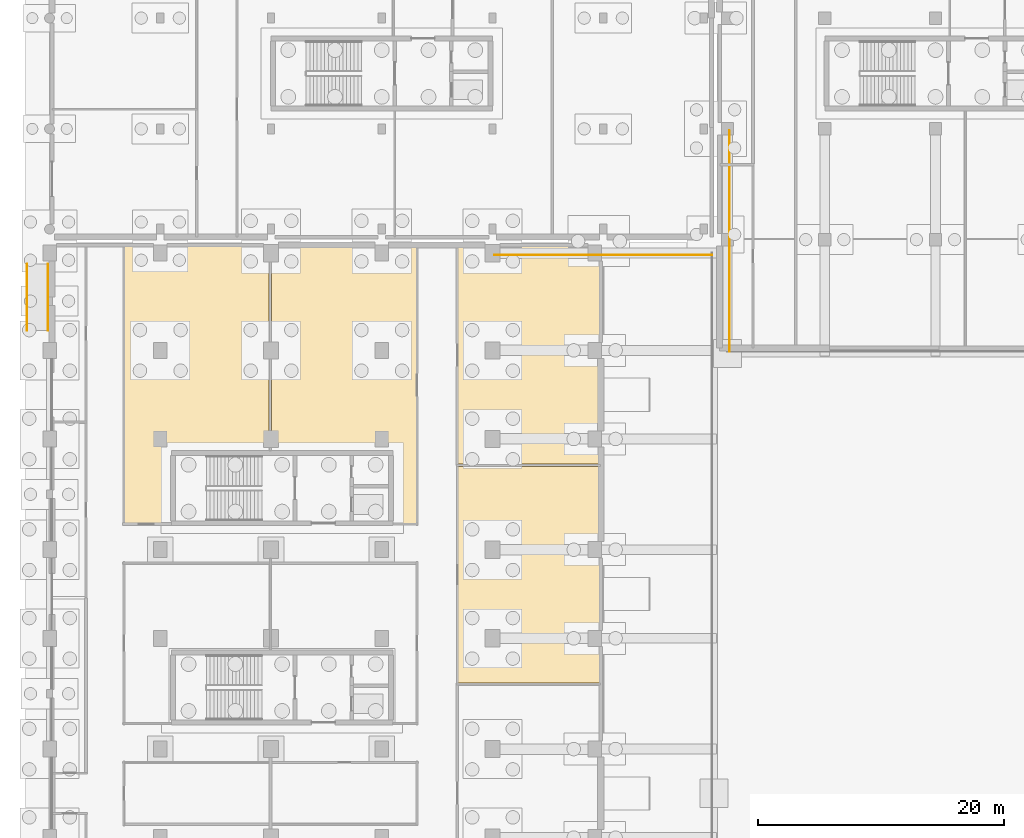
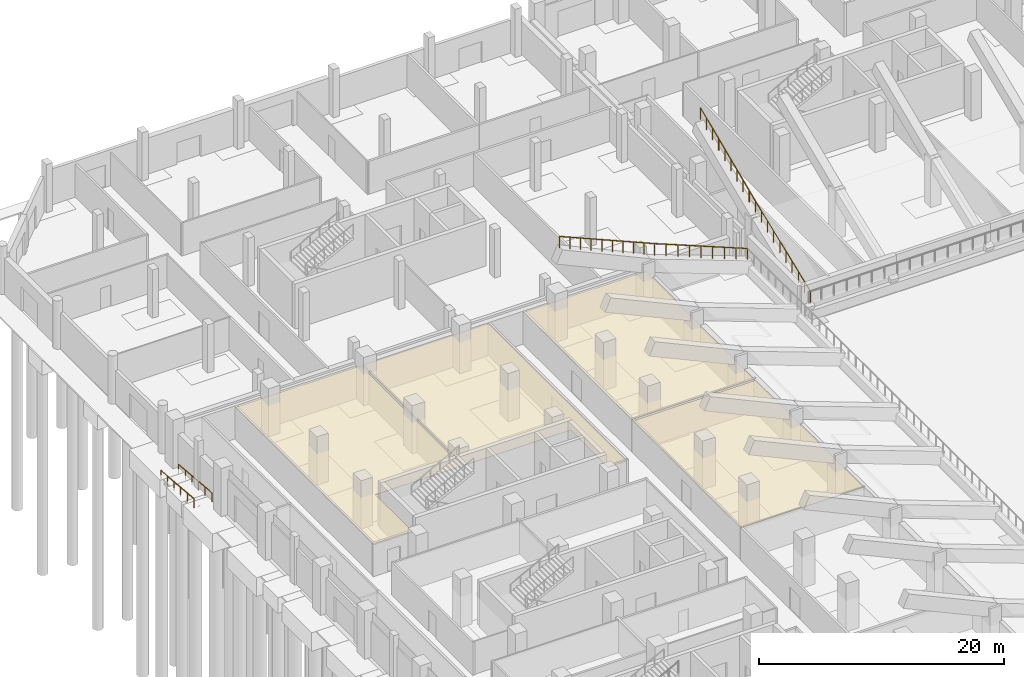
# One storey, part 46 of 53: 4 coverings, 4 railings.
"""IFC4 building model written with IfcOpenShell, lengths in metres."""

from ifc_helpers import new_model, si_unit, direction, frame, origin, origin_2d, place, context, subcontext, project, spatial, polyline, circle, outline, extrude, material, layer, layer_set, type_object, element, save


model = new_model("IFC4")

# Units and contexts
model_context = context("Model", 3, precision=1e-05, world=origin(), true_north=direction((0.0, 1.0)))
body_context = subcontext(model_context, "Body", "Model", "MODEL_VIEW")
ifc_project = project(units=[si_unit("LENGTHUNIT", "METRE"), si_unit("AREAUNIT", "SQUARE_METRE"), si_unit("VOLUMEUNIT", "CUBIC_METRE"), si_unit("PLANEANGLEUNIT", "RADIAN"), si_unit("MASSUNIT", "GRAM", prefix="KILO"), si_unit("THERMODYNAMICTEMPERATUREUNIT", "KELVIN"), si_unit("POWERUNIT", "WATT")], contexts=[model_context])

# Site, building, storey
site_placement = place(None, origin())
site = spatial("IfcSite", under=ifc_project, at=site_placement, CompositionType="ELEMENT")
building_placement = place(site_placement, origin())
building = spatial("IfcBuilding", under=site, at=building_placement, Name="Sindhuravela Promenade Stadium", CompositionType="ELEMENT")
storey_placement = place(building_placement, origin())
storey = spatial("IfcBuildingStorey", under=building, at=storey_placement, Name="L00", CompositionType="ELEMENT", Elevation=0.0)

# Coverings
ifc_material_1 = material(Name="Acoustic mineral-fibre ceiling tile", Category="gypsum")
ifc_layer_1 = layer(ifc_material_1, 0.02490234375)
ifc_layer_set_1 = layer_set([ifc_layer_1], Name="Acoustic mineral-fibre ceiling tile")
covering_type_1 = type_object("IfcCoveringType", Name="CV-CEIL-1", PredefinedType="CEILING", material=ifc_layer_set_1)
covering_1_placement = place(storey_placement, frame((0.0, 0.0, 3.050048828125)))
element("IfcCovering", 1, at=covering_1_placement, inside=storey, type_object=covering_type_1, Name="Acoustic ceiling Medical and First Aid Clinic", PredefinedType="CEILING", context=body_context, shape_type="SweptSolid", body=[
    extrude(outline(polyline([(44.699951171875, 107.778076171875), (44.699951171875, 107.77587890625), (44.69970703125, 107.774169921875), (44.69921875, 107.772216796875), (44.698486328125, 107.770263671875), (44.697509765625, 107.7685546875), (44.696533203125, 107.766845703125), (44.695556640625, 107.765380859375), (44.694091796875, 107.763916015625), (44.692626953125, 107.762451171875), (44.691162109375, 107.761474609375), (44.689453125, 107.760498046875), (44.687744140625, 107.759521484375), (44.685791015625, 107.7587890625), (44.683837890625, 107.75830078125), (44.681884765625, 107.758056640625), (44.679931640625, 107.758056640625), (33.139892578125, 107.758056640625), (33.137939453125, 107.758056640625), (33.135986328125, 107.75830078125), (33.13427734375, 107.7587890625), (33.13232421875, 107.759521484375), (33.130615234375, 107.760498046875), (33.12890625, 107.761474609375), (33.127197265625, 107.762451171875), (33.1259765625, 107.763916015625), (33.12451171875, 107.765380859375), (33.123291015625, 107.766845703125), (33.122314453125, 107.7685546875), (33.12158203125, 107.770263671875), (33.120849609375, 107.772216796875), (33.120361328125, 107.774169921875), (33.1201171875, 107.77587890625), (33.1201171875, 107.778076171875), (33.1201171875, 125.429931640625), (33.1201171875, 125.431884765625), (33.120361328125, 125.433837890625), (33.120849609375, 125.435791015625), (33.12158203125, 125.437744140625), (33.122314453125, 125.439453125), (33.123291015625, 125.441162109375), (33.12451171875, 125.442626953125), (33.1259765625, 125.444091796875), (33.127197265625, 125.445556640625), (33.12890625, 125.446533203125), (33.130615234375, 125.447509765625), (33.13232421875, 125.448486328125), (33.13427734375, 125.44921875), (33.135986328125, 125.44970703125), (33.137939453125, 125.449951171875), (33.139892578125, 125.449951171875), (44.679931640625, 125.449951171875), (44.681884765625, 125.449951171875), (44.683837890625, 125.44970703125), (44.685791015625, 125.44921875), (44.687744140625, 125.448486328125), (44.689453125, 125.447509765625), (44.691162109375, 125.446533203125), (44.692626953125, 125.445556640625), (44.694091796875, 125.444091796875), (44.695556640625, 125.442626953125), (44.696533203125, 125.441162109375), (44.697509765625, 125.439453125), (44.698486328125, 125.437744140625), (44.69921875, 125.435791015625), (44.69970703125, 125.433837890625), (44.699951171875, 125.431884765625), (44.699951171875, 125.429931640625), (44.699951171875, 107.778076171875)])), origin(), (0.0, 0.0, 1.0), 0.02490234375),
])
ifc_layer_2 = layer(ifc_material_1, 0.044921875)
ifc_layer_set_2 = layer_set([ifc_layer_2], Name="Acoustic mineral-fibre ceiling tile")
covering_type_2 = type_object("IfcCoveringType", Name="CV-CEIL-2", PredefinedType="CEILING", material=ifc_layer_set_2)
covering_2_placement = place(storey_placement, frame((0.0, 0.0, 3.050048828125)))
element("IfcCovering", 2, at=covering_2_placement, inside=storey, type_object=covering_type_2, Name="Acoustic ceiling Fire Command Centre", PredefinedType="CEILING", context=body_context, shape_type="SweptSolid", body=[
    extrude(outline(polyline([(9.719970703125, 108.97998046875), (9.719970703125, 102.889892578125), (9.719970703125, 102.887939453125), (9.719482421875, 102.885986328125), (9.718994140625, 102.88427734375), (9.718505859375, 102.88232421875), (9.717529296875, 102.880615234375), (9.716552734375, 102.87890625), (9.715576171875, 102.877197265625), (9.714111328125, 102.8759765625), (9.712646484375, 102.87451171875), (9.711181640625, 102.873291015625), (9.70947265625, 102.872314453125), (9.707763671875, 102.87158203125), (9.705810546875, 102.870849609375), (9.703857421875, 102.870361328125), (9.701904296875, 102.8701171875), (9.699951171875, 102.8701171875), (6.0400390625, 102.8701171875), (6.0380859375, 102.8701171875), (6.0361328125, 102.870361328125), (6.0341796875, 102.870849609375), (6.0322265625, 102.87158203125), (6.030517578125, 102.872314453125), (6.02880859375, 102.873291015625), (6.02734375, 102.87451171875), (6.02587890625, 102.8759765625), (6.0244140625, 102.877197265625), (6.0234375, 102.87890625), (6.0224609375, 102.880615234375), (6.021484375, 102.88232421875), (6.02099609375, 102.88427734375), (6.0205078125, 102.885986328125), (6.02001953125, 102.887939453125), (6.02001953125, 102.889892578125), (6.02001953125, 125.429931640625), (6.02001953125, 125.431884765625), (6.0205078125, 125.433837890625), (6.02099609375, 125.435791015625), (6.021484375, 125.437744140625), (6.0224609375, 125.439453125), (6.0234375, 125.441162109375), (6.0244140625, 125.442626953125), (6.02587890625, 125.444091796875), (6.02734375, 125.445556640625), (6.02880859375, 125.446533203125), (6.030517578125, 125.447509765625), (6.0322265625, 125.448486328125), (6.0341796875, 125.44921875), (6.0361328125, 125.44970703125), (6.0380859375, 125.449951171875), (6.0400390625, 125.449951171875), (17.830078125, 125.449951171875), (17.83203125, 125.449951171875), (17.833984375, 125.44970703125), (17.835693359375, 125.44921875), (17.837646484375, 125.448486328125), (17.83935546875, 125.447509765625), (17.841064453125, 125.446533203125), (17.8427734375, 125.445556640625), (17.843994140625, 125.444091796875), (17.845458984375, 125.442626953125), (17.8466796875, 125.441162109375), (17.84765625, 125.439453125), (17.848388671875, 125.437744140625), (17.84912109375, 125.435791015625), (17.849609375, 125.433837890625), (17.849853515625, 125.431884765625), (17.85009765625, 125.429931640625), (17.85009765625, 109.0), (17.849853515625, 108.998046875), (17.849609375, 108.99609375), (17.84912109375, 108.994140625), (17.848388671875, 108.9921875), (17.84765625, 108.990478515625), (17.8466796875, 108.989013671875), (17.845458984375, 108.9873046875), (17.843994140625, 108.98583984375), (17.8427734375, 108.984619140625), (17.841064453125, 108.9833984375), (17.83935546875, 108.982421875), (17.837646484375, 108.9814453125), (17.835693359375, 108.98095703125), (17.833984375, 108.98046875), (17.83203125, 108.97998046875), (17.830078125, 108.97998046875), (9.719970703125, 108.97998046875)])), origin(), (0.0, 0.0, 1.0), 0.044921875),
])
covering_3_placement = place(storey_placement, frame((0.0, 0.0, 3.050048828125)))
element("IfcCovering", 3, at=covering_3_placement, inside=storey, type_object=covering_type_2, Name="Acoustic ceiling Home Team Changing Suite", PredefinedType="CEILING", context=body_context, shape_type="SweptSolid", body=[
    extrude(outline(polyline([(29.8798828125, 102.889892578125), (29.8798828125, 102.887939453125), (29.879638671875, 102.885986328125), (29.879150390625, 102.88427734375), (29.87841796875, 102.88232421875), (29.877685546875, 102.880615234375), (29.876708984375, 102.87890625), (29.87548828125, 102.877197265625), (29.8740234375, 102.8759765625), (29.872802734375, 102.87451171875), (29.87109375, 102.873291015625), (29.869384765625, 102.872314453125), (29.86767578125, 102.87158203125), (29.86572265625, 102.870849609375), (29.864013671875, 102.870361328125), (29.862060546875, 102.8701171875), (29.860107421875, 102.8701171875), (28.10009765625, 102.8701171875), (28.097900390625, 102.8701171875), (28.09619140625, 102.870361328125), (28.09423828125, 102.870849609375), (28.09228515625, 102.87158203125), (28.090576171875, 102.872314453125), (28.0888671875, 102.873291015625), (28.08740234375, 102.87451171875), (28.0859375, 102.8759765625), (28.08447265625, 102.877197265625), (28.08349609375, 102.87890625), (28.08251953125, 102.880615234375), (28.08154296875, 102.88232421875), (28.080810546875, 102.88427734375), (28.080322265625, 102.885986328125), (28.080078125, 102.887939453125), (28.080078125, 102.889892578125), (28.080078125, 108.97998046875), (18.070068359375, 108.97998046875), (18.068115234375, 108.97998046875), (18.066162109375, 108.98046875), (18.064208984375, 108.98095703125), (18.062255859375, 108.9814453125), (18.060546875, 108.982421875), (18.058837890625, 108.9833984375), (18.057373046875, 108.984619140625), (18.055908203125, 108.98583984375), (18.054443359375, 108.9873046875), (18.053466796875, 108.989013671875), (18.052490234375, 108.990478515625), (18.051513671875, 108.9921875), (18.05078125, 108.994140625), (18.05029296875, 108.99609375), (18.050048828125, 108.998046875), (18.050048828125, 109.0), (18.050048828125, 125.429931640625), (18.050048828125, 125.431884765625), (18.05029296875, 125.433837890625), (18.05078125, 125.435791015625), (18.051513671875, 125.437744140625), (18.052490234375, 125.439453125), (18.053466796875, 125.441162109375), (18.054443359375, 125.442626953125), (18.055908203125, 125.444091796875), (18.057373046875, 125.445556640625), (18.058837890625, 125.446533203125), (18.060546875, 125.447509765625), (18.062255859375, 125.448486328125), (18.064208984375, 125.44921875), (18.066162109375, 125.44970703125), (18.068115234375, 125.449951171875), (18.070068359375, 125.449951171875), (29.860107421875, 125.449951171875), (29.862060546875, 125.449951171875), (29.864013671875, 125.44970703125), (29.86572265625, 125.44921875), (29.86767578125, 125.448486328125), (29.869384765625, 125.447509765625), (29.87109375, 125.446533203125), (29.872802734375, 125.445556640625), (29.8740234375, 125.444091796875), (29.87548828125, 125.442626953125), (29.876708984375, 125.441162109375), (29.877685546875, 125.439453125), (29.87841796875, 125.437744140625), (29.879150390625, 125.435791015625), (29.879638671875, 125.433837890625), (29.8798828125, 125.431884765625), (29.8798828125, 125.429931640625), (29.8798828125, 102.889892578125)])), origin(), (0.0, 0.0, 1.0), 0.044921875),
])
covering_4_placement = place(storey_placement, frame((0.0, 0.0, 3.050048828125)))
element("IfcCovering", 4, at=covering_4_placement, inside=storey, type_object=covering_type_2, Name="Acoustic ceiling Anti-Doping Testing Suite", PredefinedType="CEILING", context=body_context, shape_type="SweptSolid", body=[
    extrude(outline(polyline([(44.699951171875, 90.006103515625), (44.699951171875, 90.00390625), (44.69970703125, 90.002197265625), (44.69921875, 90.000244140625), (44.698486328125, 89.998291015625), (44.697509765625, 89.99658203125), (44.696533203125, 89.994873046875), (44.695556640625, 89.993408203125), (44.694091796875, 89.991943359375), (44.692626953125, 89.990478515625), (44.691162109375, 89.989501953125), (44.689453125, 89.98828125), (44.687744140625, 89.987548828125), (44.685791015625, 89.98681640625), (44.683837890625, 89.986328125), (44.681884765625, 89.986083984375), (44.679931640625, 89.986083984375), (33.139892578125, 89.986083984375), (33.137939453125, 89.986083984375), (33.135986328125, 89.986328125), (33.13427734375, 89.98681640625), (33.13232421875, 89.987548828125), (33.130615234375, 89.98828125), (33.12890625, 89.989501953125), (33.127197265625, 89.990478515625), (33.1259765625, 89.991943359375), (33.12451171875, 89.993408203125), (33.123291015625, 89.994873046875), (33.122314453125, 89.99658203125), (33.12158203125, 89.998291015625), (33.120849609375, 90.000244140625), (33.120361328125, 90.002197265625), (33.1201171875, 90.00390625), (33.1201171875, 90.006103515625), (33.1201171875, 107.5380859375), (33.1201171875, 107.5400390625), (33.120361328125, 107.5419921875), (33.120849609375, 107.543701171875), (33.12158203125, 107.545654296875), (33.122314453125, 107.54736328125), (33.123291015625, 107.549072265625), (33.12451171875, 107.55078125), (33.1259765625, 107.552001953125), (33.127197265625, 107.553466796875), (33.12890625, 107.5546875), (33.130615234375, 107.5556640625), (33.13232421875, 107.556396484375), (33.13427734375, 107.55712890625), (33.135986328125, 107.5576171875), (33.137939453125, 107.557861328125), (33.139892578125, 107.55810546875), (44.679931640625, 107.55810546875), (44.681884765625, 107.557861328125), (44.683837890625, 107.5576171875), (44.685791015625, 107.55712890625), (44.687744140625, 107.556396484375), (44.689453125, 107.5556640625), (44.691162109375, 107.5546875), (44.692626953125, 107.553466796875), (44.694091796875, 107.552001953125), (44.695556640625, 107.55078125), (44.696533203125, 107.549072265625), (44.697509765625, 107.54736328125), (44.698486328125, 107.545654296875), (44.69921875, 107.543701171875), (44.69970703125, 107.5419921875), (44.699951171875, 107.5400390625), (44.699951171875, 107.5380859375), (44.699951171875, 90.006103515625)])), origin(), (0.0, 0.0, 1.0), 0.044921875),
])

# Railings
ifc_material_2 = material(Name="Architectural wrought steel E350", Category="steel")
railing_type_1 = type_object("IfcRailingType", Name="RL-GRD-1150", PredefinedType="GUARDRAIL", material=ifc_material_2)
railing_1_placement = place(storey_placement, frame((53.85009765625, 124.75, 1.449951171875)))
element("IfcRailing", 5, at=railing_1_placement, inside=storey, type_object=railing_type_1, Name="Stand bowl crowd barrier GR01-92", PredefinedType="GUARDRAIL", context=body_context, shape_type="SweptSolid", body=[
    extrude(circle(Radius=0.02392578125, at=origin_2d()), frame((0.0, 0.0, 1.1259765625), z_axis=(-0.9266377776708234, 0.0, 0.3759553550533327), x_axis=(0.0, -1.0, 0.0)), (0.0, 0.0, 1.0), 9.442626953125),
    extrude(circle(Radius=0.02392578125, at=origin_2d()), frame((-8.75, 0.0, 4.67578125), z_axis=(-0.9186127990796654, 0.0, 0.3951588609243405), x_axis=(0.0, -1.0, 0.0)), (0.0, 0.0, 1.0), 9.7431640625),
    extrude(circle(Radius=0.02099609375, at=origin_2d()), origin(), (0.0, 0.0, 1.0), 1.101806640625),
    extrude(circle(Radius=0.02099609375, at=origin_2d()), frame((-1.09375, 0.0, 0.44384765625)), (0.0, 0.0, 1.0), 1.101806640625),
    extrude(circle(Radius=0.02099609375, at=origin_2d()), frame((-2.1875, 0.0, 0.887451171875)), (0.0, 0.0, 1.0), 1.101806640625),
    extrude(circle(Radius=0.02099609375, at=origin_2d()), frame((-3.28125, 0.0, 1.331298828125)), (0.0, 0.0, 1.0), 1.101806640625),
    extrude(circle(Radius=0.02099609375, at=origin_2d()), frame((-4.375, 0.0, 1.77490234375)), (0.0, 0.0, 1.0), 1.101806640625),
    extrude(circle(Radius=0.02099609375, at=origin_2d()), frame((-5.46875, 0.0, 2.21875)), (0.0, 0.0, 1.0), 1.101806640625),
    extrude(circle(Radius=0.02099609375, at=origin_2d()), frame((-6.5625, 0.0, 2.66259765625)), (0.0, 0.0, 1.0), 1.101806640625),
    extrude(circle(Radius=0.02099609375, at=origin_2d()), frame((-7.65625, 0.0, 3.106201171875)), (0.0, 0.0, 1.0), 1.101806640625),
    extrude(circle(Radius=0.02099609375, at=origin_2d()), frame((-8.75, 0.0, 3.550048828125)), (0.0, 0.0, 1.0), 1.101806640625),
    extrude(circle(Radius=0.02099609375, at=origin_2d()), frame((-9.744384765625, 0.0, 3.977783203125)), (0.0, 0.0, 1.0), 1.101806640625),
    extrude(circle(Radius=0.02099609375, at=origin_2d()), frame((-10.739013671875, 0.0, 4.405517578125)), (0.0, 0.0, 1.0), 1.101806640625),
    extrude(circle(Radius=0.02099609375, at=origin_2d()), frame((-11.7333984375, 0.0, 4.83349609375)), (0.0, 0.0, 1.0), 1.101806640625),
    extrude(circle(Radius=0.02099609375, at=origin_2d()), frame((-12.727783203125, 0.0, 5.26123046875)), (0.0, 0.0, 1.0), 1.101806640625),
    extrude(circle(Radius=0.02099609375, at=origin_2d()), frame((-13.722412109375, 0.0, 5.68896484375)), (0.0, 0.0, 1.0), 1.101806640625),
    extrude(circle(Radius=0.02099609375, at=origin_2d()), frame((-14.716796875, 0.0, 6.11669921875)), (0.0, 0.0, 1.0), 1.101806640625),
    extrude(circle(Radius=0.02099609375, at=origin_2d()), frame((-15.711181640625, 0.0, 6.544677734375)), (0.0, 0.0, 1.0), 1.101806640625),
    extrude(circle(Radius=0.02099609375, at=origin_2d()), frame((-16.705810546875, 0.0, 6.972412109375)), (0.0, 0.0, 1.0), 1.101806640625),
    extrude(circle(Radius=0.02099609375, at=origin_2d()), frame((-17.7001953125, 0.0, 7.400146484375)), (0.0, 0.0, 1.0), 1.101806640625),
])
railing_2_placement = place(storey_placement, frame((55.25, 116.89990234375, 1.449951171875)))
element("IfcRailing", 6, at=railing_2_placement, inside=storey, type_object=railing_type_1, Name="Stand bowl crowd barrier GR01-103", PredefinedType="GUARDRAIL", context=body_context, shape_type="SweptSolid", body=[
    extrude(circle(Radius=0.02392578125, at=origin_2d()), frame((0.0, 0.0, 1.1259765625), z_axis=(0.0, 0.9302463636097077, 0.3669355570000206), x_axis=(-1.0, 0.0, 0.0)), (0.0, 0.0, 1.0), 9.6748046875),
    extrude(circle(Radius=0.02392578125, at=origin_2d()), frame((0.0, 9.0, 4.67578125), z_axis=(0.0, 0.9186127990796654, 0.3951588609243405), x_axis=(-1.0, 0.0, 0.0)), (0.0, 0.0, 1.0), 9.7431640625),
    extrude(circle(Radius=0.02099609375, at=origin_2d()), origin(), (0.0, 0.0, 1.0), 1.101806640625),
    extrude(circle(Radius=0.02099609375, at=origin_2d()), frame((0.0, 1.0, 0.39453125)), (0.0, 0.0, 1.0), 1.101806640625),
    extrude(circle(Radius=0.02099609375, at=origin_2d()), frame((0.0, 2.0, 0.788818359375)), (0.0, 0.0, 1.0), 1.101806640625),
    extrude(circle(Radius=0.02099609375, at=origin_2d()), frame((0.0, 3.0, 1.183349609375)), (0.0, 0.0, 1.0), 1.101806640625),
    extrude(circle(Radius=0.02099609375, at=origin_2d()), frame((0.0, 4.0, 1.577880859375)), (0.0, 0.0, 1.0), 1.101806640625),
    extrude(circle(Radius=0.02099609375, at=origin_2d()), frame((0.0, 5.0, 1.97216796875)), (0.0, 0.0, 1.0), 1.101806640625),
    extrude(circle(Radius=0.02099609375, at=origin_2d()), frame((0.0, 6.0, 2.36669921875)), (0.0, 0.0, 1.0), 1.101806640625),
    extrude(circle(Radius=0.02099609375, at=origin_2d()), frame((0.0, 7.0, 2.76123046875)), (0.0, 0.0, 1.0), 1.101806640625),
    extrude(circle(Radius=0.02099609375, at=origin_2d()), frame((0.0, 8.0, 3.155517578125)), (0.0, 0.0, 1.0), 1.101806640625),
    extrude(circle(Radius=0.02099609375, at=origin_2d()), frame((0.0, 9.0, 3.550048828125)), (0.0, 0.0, 1.0), 1.101806640625),
    extrude(circle(Radius=0.02099609375, at=origin_2d()), frame((0.0, 9.994384765625, 3.977783203125)), (0.0, 0.0, 1.0), 1.101806640625),
    extrude(circle(Radius=0.02099609375, at=origin_2d()), frame((0.0, 10.989013671875, 4.405517578125)), (0.0, 0.0, 1.0), 1.101806640625),
    extrude(circle(Radius=0.02099609375, at=origin_2d()), frame((0.0, 11.9833984375, 4.83349609375)), (0.0, 0.0, 1.0), 1.101806640625),
    extrude(circle(Radius=0.02099609375, at=origin_2d()), frame((0.0, 12.977783203125, 5.26123046875)), (0.0, 0.0, 1.0), 1.101806640625),
    extrude(circle(Radius=0.02099609375, at=origin_2d()), frame((0.0, 13.972412109375, 5.68896484375)), (0.0, 0.0, 1.0), 1.101806640625),
    extrude(circle(Radius=0.02099609375, at=origin_2d()), frame((0.0, 14.966796875, 6.11669921875)), (0.0, 0.0, 1.0), 1.101806640625),
    extrude(circle(Radius=0.02099609375, at=origin_2d()), frame((0.0, 15.961181640625, 6.544677734375)), (0.0, 0.0, 1.0), 1.101806640625),
    extrude(circle(Radius=0.02099609375, at=origin_2d()), frame((0.0, 16.955810546875, 6.972412109375)), (0.0, 0.0, 1.0), 1.101806640625),
    extrude(circle(Radius=0.02099609375, at=origin_2d()), frame((0.0, 17.9501953125, 7.400146484375)), (0.0, 0.0, 1.0), 1.101806640625),
])
railing_type_2 = type_object("IfcRailingType", Name="RL-HND-920", PredefinedType="HANDRAIL", material=ifc_material_2)
for number, where, name in (
    (7, (-1.820068359375, 124.0, -0.449951171875), "West media entrance step-free ramp handrail 1"),
    (8, (-0.139892578125, 124.0, -0.449951171875), "West media entrance step-free ramp handrail 2"),
):
    element("IfcRailing", number, at=place(storey_placement, frame(where)), inside=storey, type_object=railing_type_2, Name=name, PredefinedType="HANDRAIL", context=body_context, shape_type="SweptSolid", body=[
        extrude(circle(Radius=0.02392578125, at=origin_2d()), frame((0.0, 0.0, 0.89599609375), z_axis=(0.0, -0.9965463796776552, 0.08303802232326245), x_axis=(1.0, 0.0, 0.0)), (0.0, 0.0, 1.0), 5.418701171875),
        extrude(circle(Radius=0.02099609375, at=origin_2d()), origin(), (0.0, 0.0, 1.0), 0.871826171875),
        extrude(circle(Radius=0.02099609375, at=origin_2d()), frame((0.0, -1.080078125, 0.090087890625)), (0.0, 0.0, 1.0), 0.871826171875),
        extrude(circle(Radius=0.02099609375, at=origin_2d()), frame((0.0, -2.159912109375, 0.179931640625)), (0.0, 0.0, 1.0), 0.871826171875),
        extrude(circle(Radius=0.02099609375, at=origin_2d()), frame((0.0, -3.239990234375, 0.27001953125)), (0.0, 0.0, 1.0), 0.871826171875),
        extrude(circle(Radius=0.02099609375, at=origin_2d()), frame((0.0, -4.31982421875, 0.35986328125)), (0.0, 0.0, 1.0), 0.871826171875),
        extrude(circle(Radius=0.02099609375, at=origin_2d()), frame((0.0, -5.39990234375, 0.449951171875)), (0.0, 0.0, 1.0), 0.871826171875),
    ])

save(model, "model.ifc")
